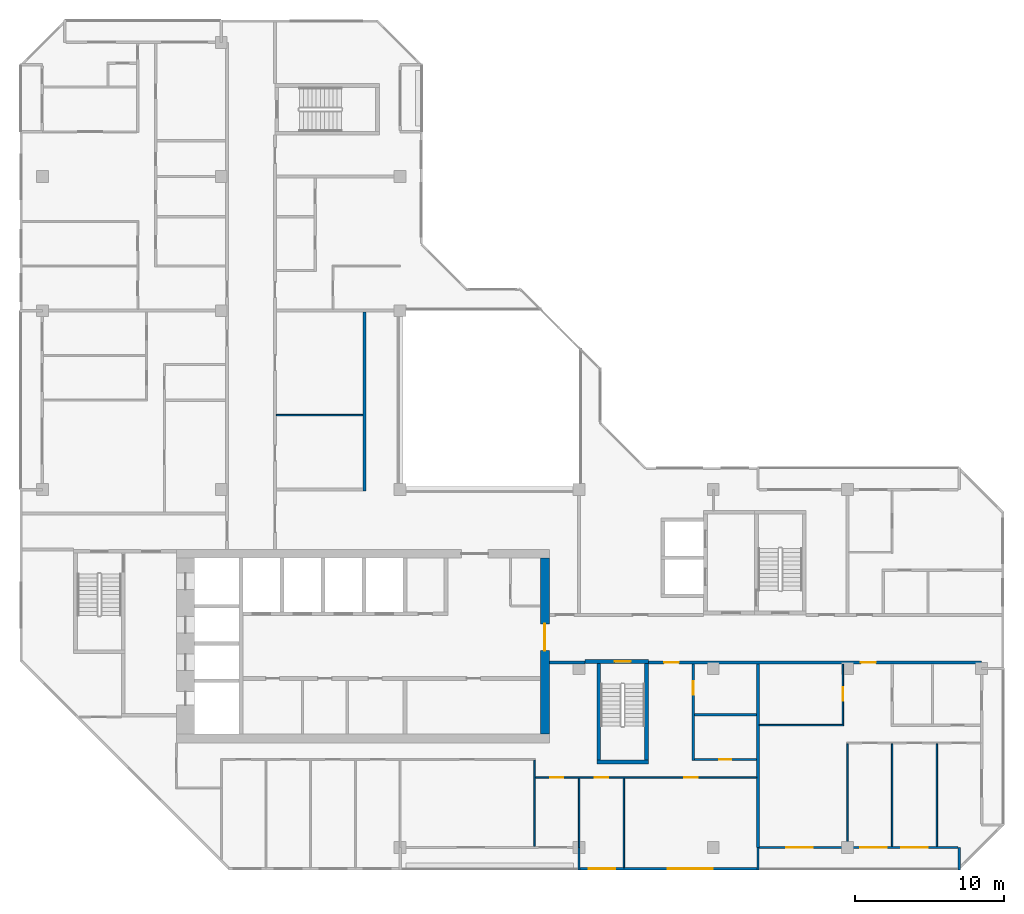
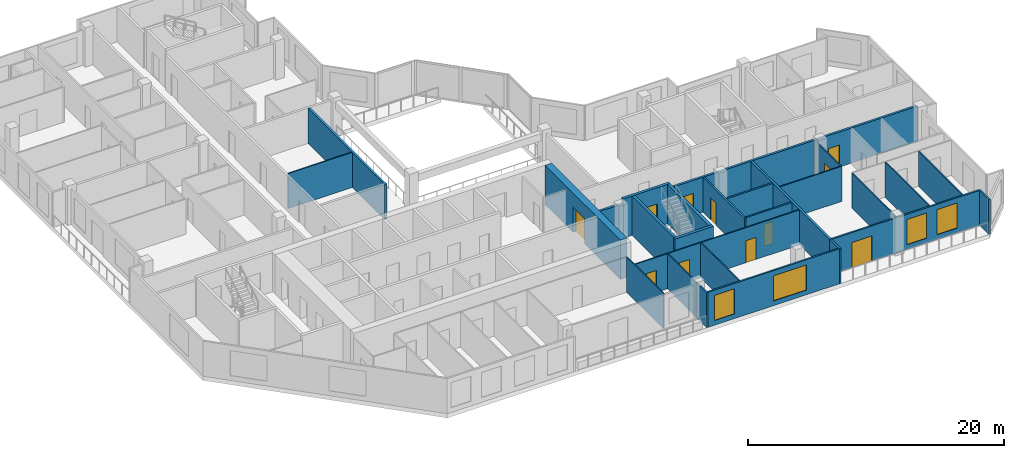
# One storey, part 6 of 13: 27 walls, 11 doors, 4 windows, 15 openings.
"""IFC4 building model written with IfcOpenShell, lengths in metres."""

from ifc_helpers import new_model, si_unit, direction, frame, frame_2d, origin, place, context, subcontext, project, spatial, rectangle, extrude, material, layer, layer_set, type_object, element, fill, save


model = new_model("IFC4")

# Units and contexts
model_context = context("Model", 3, precision=1e-05, world=origin(), true_north=direction((0.0, 1.0)))
body_context = subcontext(model_context, "Body", "Model", "MODEL_VIEW")
ifc_project = project(units=[si_unit("LENGTHUNIT", "METRE"), si_unit("AREAUNIT", "SQUARE_METRE"), si_unit("VOLUMEUNIT", "CUBIC_METRE"), si_unit("PLANEANGLEUNIT", "RADIAN"), si_unit("MASSUNIT", "GRAM", prefix="KILO")], contexts=[model_context])

# Site, building, storey
site_placement = place(None, origin())
site = spatial("IfcSite", under=ifc_project, at=site_placement, CompositionType="ELEMENT")
building_placement = place(site_placement, origin())
building = spatial("IfcBuilding", under=site, at=building_placement, Name="Chenar Terraces", CompositionType="ELEMENT")
storey_placement = place(building_placement, frame((0.0, 0.0, 277.14990234375)))
storey = spatial("IfcBuildingStorey", under=building, at=storey_placement, Name="L64", CompositionType="ELEMENT", Elevation=277.14990234375)

# Wall
ifc_material_1 = material(Name="Concrete C50/60", Category="concrete")
ifc_layer_1 = layer(ifc_material_1, 0.25)
ifc_layer_set_1 = layer_set([ifc_layer_1], Name="Concrete C50/60")
wall_type_1 = type_object("IfcWallType", Name="Core wall 250 Concrete C50/60", PredefinedType="SHEAR", material=ifc_layer_set_1)
wall_1_placement = place(storey_placement, frame((37.199951171875, 5.72509765625, 0.0), z_axis=(0.0, 0.0, 1.0), x_axis=(1.0, 0.0, 0.0)))
element("IfcWall", 1, at=wall_1_placement, inside=storey, type_object=wall_type_1, Name="Core wall ST2_S L64", PredefinedType="SHEAR", context=body_context, shape_type="SweptSolid", body=[
    extrude(rectangle(XDim=3.449951171875, YDim=0.25, at=frame_2d((1.72509765625, 0.0))), origin(), (0.0, 0.0, 1.0), 3.75),
])

# Wall, opening, door
wall_2_placement = place(storey_placement, frame((36.39990234375, 12.47509765625, 0.0), z_axis=(0.0, 0.0, 1.0), x_axis=(1.0, 0.0, 0.0)))
wall_2 = element("IfcWall", 2, at=wall_2_placement, inside=storey, type_object=wall_type_1, Name="Core wall ST2_N L64", PredefinedType="SHEAR", context=body_context, shape_type="SweptSolid", body=[
    extrude(rectangle(XDim=4.25, YDim=0.25, at=frame_2d((2.125, 0.0))), origin(), (0.0, 0.0, 1.0), 3.75),
])
opening_1_placement = place(wall_2_placement, frame((1.97509765625, 0.0, 0.0)))
opening_1 = element("IfcOpeningElement", 3, at=opening_1_placement, cuts=wall_2, Name="Opening DL64-C7", PredefinedType="OPENING", context=body_context, shape_type="SweptSolid", body=[
    extrude(rectangle(XDim=1.10009765625, YDim=2.199951171875, at=frame_2d((0.550048828125, 1.10009765625))), frame((0.0, 0.135009765625, 0.0), z_axis=(0.0, -1.0, 0.0), x_axis=(1.0, 0.0, 0.0)), (0.0, 0.0, 1.0), 0.27001953125),
])
ifc_material_2 = material(Name="Steel-framed fire-resisting door leaf", Category="steel")
door_type_1 = type_object("IfcDoorType", Name="Stair fire door FD60 1100 x 2200", OperationType="SINGLE_SWING_LEFT", PredefinedType="DOOR", material=ifc_material_2)
door_1_placement = place(opening_1_placement, frame((1.10009765625, 0.0, 0.0), z_axis=(0.0, 0.0, 1.0), x_axis=(-1.0, 0.0, 0.0)))
door_1 = element("IfcDoor", 4, at=door_1_placement, inside=storey, type_object=door_type_1, Name="Stair door DL64-C7", OperationType="SINGLE_SWING_LEFT", OverallHeight=2.199951171875, OverallWidth=1.10009765625, PredefinedType="DOOR", context=body_context, shape_type="SweptSolid", body=[
    extrude(rectangle(XDim=1.10009765625, YDim=2.199951171875, at=frame_2d((0.550048828125, 1.10009765625))), frame((0.0, 0.02490234375, 0.0), z_axis=(0.0, -1.0, 0.0), x_axis=(1.0, 0.0, 0.0)), (0.0, 0.0, 1.0), 0.050048828125),
])
fill(opening_1, door_1)

# Walls
for number, where, z_axis, x_axis, name in (
    (5, (37.324951171875, 5.85009765625, 0.0), (0.0, 0.0, 1.0), (0.0, 1.0, 0.0), "Core wall ST2_W L64"),
    (6, (40.52490234375, 5.85009765625, 0.0), (0.0, 0.0, 1.0), (0.0, 1.0, 0.0), "Core wall ST2_E L64"),
):
    element("IfcWall", number, at=place(storey_placement, frame(where, z_axis=z_axis, x_axis=x_axis)), inside=storey, type_object=wall_type_1, Name=name, PredefinedType="SHEAR", context=body_context, shape_type="SweptSolid", body=[
        extrude(rectangle(XDim=6.5, YDim=0.25, at=frame_2d((3.25, 0.0))), origin(), (0.0, 0.0, 1.0), 3.75),
    ])

# Wall, opening, door
ifc_material_3 = material(Name="Concrete C50/60", Category="concrete")
ifc_layer_2 = layer(ifc_material_3, 0.60009765625)
ifc_layer_set_2 = layer_set([ifc_layer_2], Name="Concrete C50/60")
wall_type_2 = type_object("IfcWallType", Name="Core wall 600 Concrete C50/60", PredefinedType="SHEAR", material=ifc_layer_set_2)
wall_3_placement = place(storey_placement, frame((33.699951171875, 7.60009765625, 0.0), z_axis=(0.0, 0.0, 1.0), x_axis=(0.0, 1.0, 0.0)))
wall_3 = element("IfcWall", 7, at=wall_3_placement, inside=storey, type_object=wall_type_2, Name="Core wall E L64", PredefinedType="SHEAR", context=body_context, shape_type="SweptSolid", body=[
    extrude(rectangle(XDim=11.7998046875, YDim=0.60009765625, at=frame_2d((5.89990234375, 0.0))), origin(), (0.0, 0.0, 1.0), 3.75),
])
opening_2_placement = place(wall_3_placement, frame((5.60009765625, 0.0, 0.0)))
opening_2 = element("IfcOpeningElement", 8, at=opening_2_placement, cuts=wall_3, Name="Opening DL64-C1", PredefinedType="OPENING", context=body_context, shape_type="SweptSolid", body=[
    extrude(rectangle(XDim=1.800048828125, YDim=2.39990234375, at=frame_2d((0.89990234375, 1.199951171875))), frame((0.0, 0.31005859375, 0.0), z_axis=(0.0, -1.0, 0.0), x_axis=(1.0, 0.0, 0.0)), (0.0, 0.0, 1.0), 0.6201171875),
])
ifc_material_4 = material(Name="Steel-framed fire-resisting door leaf", Category="steel")
door_type_2 = type_object("IfcDoorType", Name="Core entrance double fire door FD60 1800 x 2400", OperationType="DOUBLE_DOOR_SINGLE_SWING", PredefinedType="DOOR", material=ifc_material_4)
door_2_placement = place(opening_2_placement, origin())
door_2 = element("IfcDoor", 9, at=door_2_placement, inside=storey, type_object=door_type_2, Name="Core door DL64-C1", OperationType="DOUBLE_DOOR_SINGLE_SWING", OverallHeight=2.39990234375, OverallWidth=1.800048828125, PredefinedType="DOOR", context=body_context, shape_type="SweptSolid", body=[
    extrude(rectangle(XDim=1.800048828125, YDim=2.39990234375, at=frame_2d((0.89990234375, 1.199951171875))), frame((0.0, 0.02490234375, 0.0), z_axis=(0.0, -1.0, 0.0), x_axis=(1.0, 0.0, 0.0)), (0.0, 0.0, 1.0), 0.050048828125),
])
fill(opening_2, door_2)

# Walls
ifc_material_5 = material(Name="Gypsum board on steel studs with fire boards", Category="steel")
ifc_layer_3 = layer(ifc_material_5, 0.199951171875)
ifc_layer_set_3 = layer_set([ifc_layer_3], Name="Gypsum board on steel studs with fire boards")
wall_type_3 = type_object("IfcWallType", Name="Corridor wall 200", PredefinedType="PARTITIONING", material=ifc_layer_set_3)
wall_4_placement = place(storey_placement, frame((21.60009765625, 23.89990234375, 0.0), z_axis=(0.0, 0.0, 1.0), x_axis=(0.0, 1.0, 0.0)))
element("IfcWall", 10, at=wall_4_placement, inside=storey, type_object=wall_type_3, Name="Partition L64-043", PredefinedType="PARTITIONING", context=body_context, shape_type="SweptSolid", body=[
    extrude(rectangle(XDim=12.0, YDim=0.199951171875, at=frame_2d((6.0, 0.0))), origin(), (0.0, 0.0, 1.0), 3.35009765625),
])
wall_5_placement = place(storey_placement, frame((34.0, 12.39990234375, 0.0), z_axis=(0.0, 0.0, 1.0), x_axis=(1.0, 0.0, 0.0)))
element("IfcWall", 11, at=wall_5_placement, inside=storey, type_object=wall_type_3, Name="Partition L64-047", PredefinedType="PARTITIONING", context=body_context, shape_type="SweptSolid", body=[
    extrude(rectangle(XDim=2.40087890625, YDim=0.199951171875, at=frame_2d((1.200439453125, 0.0))), origin(), (0.0, 0.0, 1.0), 3.35009765625),
])

# Wall, openings, doors
wall_6_placement = place(storey_placement, frame((40.64990234375, 12.39990234375, 0.0), z_axis=(0.0, 0.0, 1.0), x_axis=(1.0, 0.0, 0.0)))
wall_6 = element("IfcWall", 12, at=wall_6_placement, inside=storey, type_object=wall_type_3, Name="Partition L64-052", PredefinedType="PARTITIONING", context=body_context, shape_type="SweptSolid", body=[
    extrude(rectangle(XDim=22.35009765625, YDim=0.199951171875, at=frame_2d((11.175048828125, 0.0))), origin(), (0.0, 0.0, 1.0), 3.35009765625),
])
opening_3_placement = place(wall_6_placement, frame((14.25, 0.0, 0.0)))
opening_3 = element("IfcOpeningElement", 13, at=opening_3_placement, cuts=wall_6, Name="Opening DL64-13", PredefinedType="OPENING", context=body_context, shape_type="SweptSolid", body=[
    extrude(rectangle(XDim=1.0, YDim=2.10009765625, at=frame_2d((0.5, 1.050048828125))), frame((0.0, 0.10986328125, 0.0), z_axis=(0.0, -1.0, 0.0), x_axis=(1.0, 0.0, 0.0)), (0.0, 0.0, 1.0), 0.219970703125),
])
opening_4_placement = place(wall_6_placement, frame((1.050048828125, 0.0, 0.0)))
opening_4 = element("IfcOpeningElement", 14, at=opening_4_placement, cuts=wall_6, Name="Opening DL64-43", PredefinedType="OPENING", context=body_context, shape_type="SweptSolid", body=[
    extrude(rectangle(XDim=1.0, YDim=2.10009765625, at=frame_2d((0.5, 1.050048828125))), frame((0.0, 0.10986328125, 0.0), z_axis=(0.0, -1.0, 0.0), x_axis=(1.0, 0.0, 0.0)), (0.0, 0.0, 1.0), 0.219970703125),
])
ifc_material_6 = material(Name="Steel-framed fire-resisting door leaf", Category="steel")
door_type_3 = type_object("IfcDoorType", Name="Fire door FD30S 1000 x 2100", OperationType="SINGLE_SWING_LEFT", PredefinedType="DOOR", material=ifc_material_6)
door_3_placement = place(opening_3_placement, frame((1.0, 0.0, 0.0), z_axis=(0.0, 0.0, 1.0), x_axis=(-1.0, 0.0, 0.0)))
door_3 = element("IfcDoor", 15, at=door_3_placement, inside=storey, type_object=door_type_3, Name="Door DL64-13", OperationType="SINGLE_SWING_RIGHT", OverallHeight=2.10009765625, OverallWidth=1.0, PredefinedType="DOOR", context=body_context, shape_type="SweptSolid", body=[
    extrude(rectangle(XDim=1.0, YDim=2.10009765625, at=frame_2d((0.5, 1.050048828125))), frame((0.0, 0.02490234375, 0.0), z_axis=(0.0, -1.0, 0.0), x_axis=(1.0, 0.0, 0.0)), (0.0, 0.0, 1.0), 0.050048828125),
])
fill(opening_3, door_3)
door_4_placement = place(opening_4_placement, origin())
door_4 = element("IfcDoor", 16, at=door_4_placement, inside=storey, type_object=door_type_3, Name="Door DL64-43", OperationType="SINGLE_SWING_LEFT", OverallHeight=2.10009765625, OverallWidth=1.0, PredefinedType="DOOR", context=body_context, shape_type="SweptSolid", body=[
    extrude(rectangle(XDim=1.0, YDim=2.10009765625, at=frame_2d((0.5, 1.050048828125))), frame((0.0, 0.02490234375, 0.0), z_axis=(0.0, -1.0, 0.0), x_axis=(1.0, 0.0, 0.0)), (0.0, 0.0, 1.0), 0.050048828125),
])
fill(opening_4, door_4)

# Wall, openings, windows
ifc_material_7 = material(Name="Aluminium framed glazing", Category="aluminium")
ifc_layer_4 = layer(ifc_material_7, 0.14990234375)
ifc_layer_set_4 = layer_set([ifc_layer_4], Name="Aluminium framed glazing")
wall_type_4 = type_object("IfcWallType", Name="Glazed flush facade wall 150", PredefinedType="SOLIDWALL", material=ifc_layer_set_4)
wall_7_placement = place(storey_placement, frame((36.074951171875, -1.425048828125, 0.0), z_axis=(0.0, 0.0, 1.0), x_axis=(1.0, 0.0, 0.0)))
wall_7 = element("IfcWall", 17, at=wall_7_placement, inside=storey, type_object=wall_type_4, Name="Glazed flush facade wall", PredefinedType="SOLIDWALL", context=body_context, shape_type="SweptSolid", body=[
    extrude(rectangle(XDim=11.85009765625, YDim=0.14990234375, at=frame_2d((5.925048828125, 0.0))), origin(), (0.0, 0.0, 1.0), 3.35009765625),
])
opening_5_placement = place(wall_7_placement, frame((0.5625, 0.0, 0.449951171875)))
opening_5 = element("IfcOpeningElement", 18, at=opening_5_placement, cuts=wall_7, Name="Opening W180x240", PredefinedType="OPENING", context=body_context, shape_type="SweptSolid", body=[
    extrude(rectangle(XDim=1.800048828125, YDim=2.39990234375, at=frame_2d((0.89990234375, 1.199951171875))), frame((0.0, 0.0849609375, 0.0), z_axis=(0.0, -1.0, 0.0), x_axis=(1.0, 0.0, 0.0)), (0.0, 0.0, 1.0), 0.169921875),
])
opening_6_placement = place(wall_7_placement, frame((5.887451171875, 0.0, 0.449951171875)))
opening_6 = element("IfcOpeningElement", 19, at=opening_6_placement, cuts=wall_7, Name="Opening W300x240", PredefinedType="OPENING", context=body_context, shape_type="SweptSolid", body=[
    extrude(rectangle(XDim=3.0, YDim=2.39990234375, at=frame_2d((1.5, 1.199951171875))), frame((0.0, 0.0849609375, 0.0), z_axis=(0.0, -1.0, 0.0), x_axis=(1.0, 0.0, 0.0)), (0.0, 0.0, 1.0), 0.169921875),
])
ifc_material_8 = material(Name="Low emissivity double glazing, aluminium frame", Category="aluminium")
window_type_1 = type_object("IfcWindowType", Name="Fixed light 1800 x 2400", PartitioningType="SINGLE_PANEL", PredefinedType="WINDOW", material=ifc_material_8)
window_1_placement = place(opening_5_placement, origin())
window_1 = element("IfcWindow", 20, at=window_1_placement, inside=storey, type_object=window_type_1, Name="Window", OverallHeight=2.39990234375, OverallWidth=1.800048828125, PartitioningType="SINGLE_PANEL", PredefinedType="WINDOW", context=body_context, shape_type="SweptSolid", body=[
    extrude(rectangle(XDim=1.800048828125, YDim=2.39990234375, at=frame_2d((0.89990234375, 1.199951171875))), frame((0.0, 0.030029296875, 0.0), z_axis=(0.0, -1.0, 0.0), x_axis=(1.0, 0.0, 0.0)), (0.0, 0.0, 1.0), 0.06005859375),
])
fill(opening_5, window_1)
ifc_material_9 = material(Name="Low emissivity double glazing, aluminium frame", Category="aluminium")
window_type_2 = type_object("IfcWindowType", Name="Fixed light 3000 x 2400", PartitioningType="SINGLE_PANEL", PredefinedType="WINDOW", material=ifc_material_9)
window_2_placement = place(opening_6_placement, origin())
window_2 = element("IfcWindow", 21, at=window_2_placement, inside=storey, type_object=window_type_2, Name="Window", OverallHeight=2.39990234375, OverallWidth=3.0, PartitioningType="SINGLE_PANEL", PredefinedType="WINDOW", context=body_context, shape_type="SweptSolid", body=[
    extrude(rectangle(XDim=3.0, YDim=2.39990234375, at=frame_2d((1.5, 1.199951171875))), frame((0.0, 0.030029296875, 0.0), z_axis=(0.0, -1.0, 0.0), x_axis=(1.0, 0.0, 0.0)), (0.0, 0.0, 1.0), 0.06005859375),
])
fill(opening_6, window_2)

# Wall, openings, windows, door
ifc_material_10 = material(Name="Aluminium framed glazing", Category="aluminium")
ifc_layer_5 = layer(ifc_material_10, 0.14990234375)
ifc_layer_set_5 = layer_set([ifc_layer_5], Name="Aluminium framed glazing")
wall_type_5 = type_object("IfcWallType", Name="Glazed loggia back wall 150", PredefinedType="SOLIDWALL", material=ifc_layer_set_5)
wall_8_placement = place(storey_placement, frame((48.074951171875, 0.0, 0.0), z_axis=(0.0, 0.0, 1.0), x_axis=(1.0, 0.0, 0.0)))
wall_8 = element("IfcWall", 22, at=wall_8_placement, inside=storey, type_object=wall_type_5, Name="Glazed loggia back wall", PredefinedType="SOLIDWALL", context=body_context, shape_type="SweptSolid", body=[
    extrude(rectangle(XDim=13.35009765625, YDim=0.14990234375, at=frame_2d((6.675048828125, 0.0))), origin(), (0.0, 0.0, 1.0), 3.35009765625),
])
opening_7_placement = place(wall_8_placement, frame((1.8125, 0.0, 0.0)))
opening_7 = element("IfcOpeningElement", 23, at=opening_7_placement, cuts=wall_8, Name="Opening DL64-G5", PredefinedType="OPENING", context=body_context, shape_type="SweptSolid", body=[
    extrude(rectangle(XDim=1.800048828125, YDim=2.39990234375, at=frame_2d((0.89990234375, 1.199951171875))), frame((0.0, 0.0849609375, 0.0), z_axis=(0.0, -1.0, 0.0), x_axis=(1.0, 0.0, 0.0)), (0.0, 0.0, 1.0), 0.169921875),
])
opening_8_placement = place(wall_8_placement, frame((6.77490234375, 0.0, 0.449951171875)))
opening_8 = element("IfcOpeningElement", 24, at=opening_8_placement, cuts=wall_8, Name="Opening W180x240", PredefinedType="OPENING", context=body_context, shape_type="SweptSolid", body=[
    extrude(rectangle(XDim=1.800048828125, YDim=2.39990234375, at=frame_2d((0.89990234375, 1.199951171875))), frame((0.0, 0.0849609375, 0.0), z_axis=(0.0, -1.0, 0.0), x_axis=(1.0, 0.0, 0.0)), (0.0, 0.0, 1.0), 0.169921875),
])
opening_9_placement = place(wall_8_placement, frame((9.52490234375, 0.0, 0.449951171875)))
opening_9 = element("IfcOpeningElement", 25, at=opening_9_placement, cuts=wall_8, Name="Opening W180x240", PredefinedType="OPENING", context=body_context, shape_type="SweptSolid", body=[
    extrude(rectangle(XDim=1.800048828125, YDim=2.39990234375, at=frame_2d((0.89990234375, 1.199951171875))), frame((0.0, 0.0849609375, 0.0), z_axis=(0.0, -1.0, 0.0), x_axis=(1.0, 0.0, 0.0)), (0.0, 0.0, 1.0), 0.169921875),
])
window_3_placement = place(opening_8_placement, origin())
window_3 = element("IfcWindow", 26, at=window_3_placement, inside=storey, type_object=window_type_1, Name="Window", OverallHeight=2.39990234375, OverallWidth=1.800048828125, PartitioningType="SINGLE_PANEL", PredefinedType="WINDOW", context=body_context, shape_type="SweptSolid", body=[
    extrude(rectangle(XDim=1.800048828125, YDim=2.39990234375, at=frame_2d((0.89990234375, 1.199951171875))), frame((0.0, 0.030029296875, 0.0), z_axis=(0.0, -1.0, 0.0), x_axis=(1.0, 0.0, 0.0)), (0.0, 0.0, 1.0), 0.06005859375),
])
fill(opening_8, window_3)
window_4_placement = place(opening_9_placement, origin())
window_4 = element("IfcWindow", 27, at=window_4_placement, inside=storey, type_object=window_type_1, Name="Window", OverallHeight=2.39990234375, OverallWidth=1.800048828125, PartitioningType="SINGLE_PANEL", PredefinedType="WINDOW", context=body_context, shape_type="SweptSolid", body=[
    extrude(rectangle(XDim=1.800048828125, YDim=2.39990234375, at=frame_2d((0.89990234375, 1.199951171875))), frame((0.0, 0.030029296875, 0.0), z_axis=(0.0, -1.0, 0.0), x_axis=(1.0, 0.0, 0.0)), (0.0, 0.0, 1.0), 0.06005859375),
])
fill(opening_9, window_4)
ifc_material_11 = material(Name="Low emissivity double glazing, aluminium frame", Category="aluminium")
door_type_4 = type_object("IfcDoorType", Name="Loggia glazed double door 1800 x 2400", OperationType="DOUBLE_DOOR_SINGLE_SWING", PredefinedType="DOOR", material=ifc_material_11)
door_5_placement = place(opening_7_placement, frame((1.800048828125, 0.0, 0.0), z_axis=(0.0, 0.0, 1.0), x_axis=(-1.0, 0.0, 0.0)))
door_5 = element("IfcDoor", 28, at=door_5_placement, inside=storey, type_object=door_type_4, Name="Loggia glazed door", OperationType="DOUBLE_DOOR_SINGLE_SWING", OverallHeight=2.39990234375, OverallWidth=1.800048828125, PredefinedType="DOOR", context=body_context, shape_type="SweptSolid", body=[
    extrude(rectangle(XDim=1.800048828125, YDim=2.39990234375, at=frame_2d((0.89990234375, 1.199951171875))), frame((0.0, 0.02490234375, 0.0), z_axis=(0.0, -1.0, 0.0), x_axis=(1.0, 0.0, 0.0)), (0.0, 0.0, 1.0), 0.050048828125),
])
fill(opening_7, door_5)

# Walls
ifc_material_12 = material(Name="Gypsum board on steel studs", Category="steel")
ifc_layer_6 = layer(ifc_material_12, 0.10009765625)
ifc_layer_set_6 = layer_set([ifc_layer_6], Name="Gypsum board on steel studs")
wall_type_6 = type_object("IfcWallType", Name="Gypsum partition 100", PredefinedType="PARTITIONING", material=ifc_layer_set_6)
wall_9_placement = place(storey_placement, frame((15.699951171875, 29.0, 0.0), z_axis=(0.0, 0.0, 1.0), x_axis=(1.0, 0.0, 0.0)))
element("IfcWall", 29, at=wall_9_placement, inside=storey, type_object=wall_type_6, Name="Partition L64-033", PredefinedType="PARTITIONING", context=body_context, shape_type="SweptSolid", body=[
    extrude(rectangle(XDim=5.800048828125, YDim=0.10009765625, at=frame_2d((2.89990234375, 0.0))), origin(), (0.0, 0.0, 1.0), 3.35009765625),
])
wall_10_placement = place(storey_placement, frame((33.0, 0.073974609375, 0.0), z_axis=(0.0, 0.0, 1.0), x_axis=(0.0, 1.0, 0.0)))
element("IfcWall", 30, at=wall_10_placement, inside=storey, type_object=wall_type_6, Name="Partition L64-045", PredefinedType="PARTITIONING", context=body_context, shape_type="SweptSolid", body=[
    extrude(rectangle(XDim=5.776123046875, YDim=0.10009765625, at=frame_2d((2.88818359375, 0.0))), origin(), (0.0, 0.0, 1.0), 3.35009765625),
])

# Wall, openings, doors
wall_11_placement = place(storey_placement, frame((33.050048828125, 4.699951171875, 0.0), z_axis=(0.0, 0.0, 1.0), x_axis=(1.0, 0.0, 0.0)))
wall_11 = element("IfcWall", 31, at=wall_11_placement, inside=storey, type_object=wall_type_6, Name="Partition L64-046", PredefinedType="PARTITIONING", context=body_context, shape_type="SweptSolid", body=[
    extrude(rectangle(XDim=14.849853515625, YDim=0.10009765625, at=frame_2d((7.4248046875, 0.0))), origin(), (0.0, 0.0, 1.0), 3.35009765625),
])
opening_10_placement = place(wall_11_placement, frame((1.0, 0.0, 0.0)))
opening_10 = element("IfcOpeningElement", 32, at=opening_10_placement, cuts=wall_11, Name="Opening DL64-39", PredefinedType="OPENING", context=body_context, shape_type="SweptSolid", body=[
    extrude(rectangle(XDim=0.89990234375, YDim=2.10009765625, at=frame_2d((0.449951171875, 1.050048828125))), frame((0.0, 0.06005859375, 0.0), z_axis=(0.0, -1.0, 0.0), x_axis=(1.0, 0.0, 0.0)), (0.0, 0.0, 1.0), 0.1201171875),
])
opening_11_placement = place(wall_11_placement, frame((4.0, 0.0, 0.0)))
opening_11 = element("IfcOpeningElement", 33, at=opening_11_placement, cuts=wall_11, Name="Opening DL64-40", PredefinedType="OPENING", context=body_context, shape_type="SweptSolid", body=[
    extrude(rectangle(XDim=0.89990234375, YDim=2.10009765625, at=frame_2d((0.449951171875, 1.050048828125))), frame((0.0, 0.06005859375, 0.0), z_axis=(0.0, -1.0, 0.0), x_axis=(1.0, 0.0, 0.0)), (0.0, 0.0, 1.0), 0.1201171875),
])
opening_12_placement = place(wall_11_placement, frame((10.0, 0.0, 0.0)))
opening_12 = element("IfcOpeningElement", 34, at=opening_12_placement, cuts=wall_11, Name="Opening DL64-46", PredefinedType="OPENING", context=body_context, shape_type="SweptSolid", body=[
    extrude(rectangle(XDim=0.89990234375, YDim=2.10009765625, at=frame_2d((0.449951171875, 1.050048828125))), frame((0.0, 0.06005859375, 0.0), z_axis=(0.0, -1.0, 0.0), x_axis=(1.0, 0.0, 0.0)), (0.0, 0.0, 1.0), 0.1201171875),
])
ifc_material_13 = material(Name="Veneered timber door leaf", Category="wood")
door_type_5 = type_object("IfcDoorType", Name="Door 900 x 2100", OperationType="SINGLE_SWING_LEFT", PredefinedType="DOOR", material=ifc_material_13)
door_6_placement = place(opening_10_placement, frame((0.89990234375, 0.0, 0.0), z_axis=(0.0, 0.0, 1.0), x_axis=(-1.0, 0.0, 0.0)))
door_6 = element("IfcDoor", 35, at=door_6_placement, inside=storey, type_object=door_type_5, Name="Door DL64-39", OperationType="SINGLE_SWING_LEFT", OverallHeight=2.10009765625, OverallWidth=0.89990234375, PredefinedType="DOOR", context=body_context, shape_type="SweptSolid", body=[
    extrude(rectangle(XDim=0.89990234375, YDim=2.10009765625, at=frame_2d((0.449951171875, 1.050048828125))), frame((0.0, 0.02490234375, 0.0), z_axis=(0.0, -1.0, 0.0), x_axis=(1.0, 0.0, 0.0)), (0.0, 0.0, 1.0), 0.050048828125),
])
fill(opening_10, door_6)
door_7_placement = place(opening_11_placement, frame((0.89990234375, 0.0, 0.0), z_axis=(0.0, 0.0, 1.0), x_axis=(-1.0, 0.0, 0.0)))
door_7 = element("IfcDoor", 36, at=door_7_placement, inside=storey, type_object=door_type_5, Name="Door DL64-40", OperationType="SINGLE_SWING_LEFT", OverallHeight=2.10009765625, OverallWidth=0.89990234375, PredefinedType="DOOR", context=body_context, shape_type="SweptSolid", body=[
    extrude(rectangle(XDim=0.89990234375, YDim=2.10009765625, at=frame_2d((0.449951171875, 1.050048828125))), frame((0.0, 0.02490234375, 0.0), z_axis=(0.0, -1.0, 0.0), x_axis=(1.0, 0.0, 0.0)), (0.0, 0.0, 1.0), 0.050048828125),
])
fill(opening_11, door_7)
door_8_placement = place(opening_12_placement, frame((0.89990234375, 0.0, 0.0), z_axis=(0.0, 0.0, 1.0), x_axis=(-1.0, 0.0, 0.0)))
door_8 = element("IfcDoor", 37, at=door_8_placement, inside=storey, type_object=door_type_5, Name="Door DL64-46", OperationType="SINGLE_SWING_LEFT", OverallHeight=2.10009765625, OverallWidth=0.89990234375, PredefinedType="DOOR", context=body_context, shape_type="SweptSolid", body=[
    extrude(rectangle(XDim=0.89990234375, YDim=2.10009765625, at=frame_2d((0.449951171875, 1.050048828125))), frame((0.0, 0.02490234375, 0.0), z_axis=(0.0, -1.0, 0.0), x_axis=(1.0, 0.0, 0.0)), (0.0, 0.0, 1.0), 0.050048828125),
])
fill(opening_12, door_8)

# Walls
wall_12_placement = place(storey_placement, frame((36.0, 0.0, 0.0), z_axis=(0.0, 0.0, 1.0), x_axis=(0.0, 1.0, 0.0)))
element("IfcWall", 38, at=wall_12_placement, inside=storey, type_object=wall_type_6, Name="Partition L64-049", PredefinedType="PARTITIONING", context=body_context, shape_type="SweptSolid", body=[
    extrude(rectangle(XDim=4.64990234375, YDim=0.10009765625, at=frame_2d((2.324951171875, 0.0))), origin(), (0.0, 0.0, 1.0), 3.35009765625),
])
wall_13_placement = place(storey_placement, frame((39.0, -1.35009765625, 0.0), z_axis=(0.0, 0.0, 1.0), x_axis=(0.0, 1.0, 0.0)))
element("IfcWall", 39, at=wall_13_placement, inside=storey, type_object=wall_type_6, Name="Partition L64-051", PredefinedType="PARTITIONING", context=body_context, shape_type="SweptSolid", body=[
    extrude(rectangle(XDim=6.0, YDim=0.10009765625, at=frame_2d((3.0, 0.0))), origin(), (0.0, 0.0, 1.0), 3.35009765625),
])
wall_14_placement = place(storey_placement, frame((48.10009765625, 8.199951171875, 0.0), z_axis=(0.0, 0.0, 1.0), x_axis=(1.0, 0.0, 0.0)))
element("IfcWall", 40, at=wall_14_placement, inside=storey, type_object=wall_type_6, Name="Partition L64-058", PredefinedType="PARTITIONING", context=body_context, shape_type="SweptSolid", body=[
    extrude(rectangle(XDim=5.64990234375, YDim=0.10009765625, at=frame_2d((2.824951171875, 0.0))), origin(), (0.0, 0.0, 1.0), 3.35009765625),
])

# Wall, opening, door
wall_15_placement = place(storey_placement, frame((53.699951171875, 8.25, 0.0), z_axis=(0.0, 0.0, 1.0), x_axis=(0.0, 1.0, 0.0)))
wall_15 = element("IfcWall", 41, at=wall_15_placement, inside=storey, type_object=wall_type_6, Name="Partition L64-060", PredefinedType="PARTITIONING", context=body_context, shape_type="SweptSolid", body=[
    extrude(rectangle(XDim=4.050048828125, YDim=0.10009765625, at=frame_2d((2.02490234375, 0.0))), origin(), (0.0, 0.0, 1.0), 3.35009765625),
])
opening_13_placement = place(wall_15_placement, frame((1.60009765625, 0.0, 0.0)))
opening_13 = element("IfcOpeningElement", 42, at=opening_13_placement, cuts=wall_15, Name="Opening DL64-11", PredefinedType="OPENING", context=body_context, shape_type="SweptSolid", body=[
    extrude(rectangle(XDim=0.89990234375, YDim=2.10009765625, at=frame_2d((0.449951171875, 1.050048828125))), frame((0.0, 0.06005859375, 0.0), z_axis=(0.0, -1.0, 0.0), x_axis=(1.0, 0.0, 0.0)), (0.0, 0.0, 1.0), 0.1201171875),
])
door_9_placement = place(opening_13_placement, origin())
door_9 = element("IfcDoor", 43, at=door_9_placement, inside=storey, type_object=door_type_5, Name="Door DL64-11", OperationType="SINGLE_SWING_RIGHT", OverallHeight=2.10009765625, OverallWidth=0.89990234375, PredefinedType="DOOR", context=body_context, shape_type="SweptSolid", body=[
    extrude(rectangle(XDim=0.89990234375, YDim=2.10009765625, at=frame_2d((0.449951171875, 1.050048828125))), frame((0.0, 0.02490234375, 0.0), z_axis=(0.0, -1.0, 0.0), x_axis=(1.0, 0.0, 0.0)), (0.0, 0.0, 1.0), 0.050048828125),
])
fill(opening_13, door_9)

# Walls
for number, where, z_axis, x_axis, name in (
    (44, (54.0, 0.073974609375, 0.0), (0.0, 0.0, 1.0), (0.0, 1.0, 0.0), "Partition L64-062"),
    (45, (57.0, 0.073974609375, 0.0), (0.0, 0.0, 1.0), (0.0, 1.0, 0.0), "Partition L64-068"),
    (46, (60.0, 0.073974609375, 0.0), (0.0, 0.0, 1.0), (0.0, 1.0, 0.0), "Partition L64-073"),
):
    element("IfcWall", number, at=place(storey_placement, frame(where, z_axis=z_axis, x_axis=x_axis)), inside=storey, type_object=wall_type_6, Name=name, PredefinedType="PARTITIONING", context=body_context, shape_type="SweptSolid", body=[
        extrude(rectangle(XDim=6.8759765625, YDim=0.10009765625, at=frame_2d((3.43798828125, 0.0))), origin(), (0.0, 0.0, 1.0), 3.35009765625),
    ])
ifc_material_14 = material(Name="Terracotta cladding on insulated backing", Category="masonry")
ifc_layer_7 = layer(ifc_material_14, 0.14990234375)
ifc_layer_set_7 = layer_set([ifc_layer_7], Name="Terracotta cladding on insulated backing")
wall_type_7 = type_object("IfcWallType", Name="Loggia return wall 150", PredefinedType="SOLIDWALL", material=ifc_layer_set_7)
for number, where, z_axis, x_axis, name in (
    (47, (36.0, -1.5, 0.0), (0.0, 0.0, 1.0), (0.0, 1.0, 0.0), "Loggia return wall"),
    (48, (48.0, -1.5, 0.0), (0.0, 0.0, 1.0), (0.0, 1.0, 0.0), "Loggia return wall"),
    (49, (61.5, -1.5, 0.0), (0.0, 0.0, 1.0), (0.0, 1.0, 0.0), "Loggia return wall"),
):
    element("IfcWall", number, at=place(storey_placement, frame(where, z_axis=z_axis, x_axis=x_axis)), inside=storey, type_object=wall_type_7, Name=name, PredefinedType="SOLIDWALL", context=body_context, shape_type="SweptSolid", body=[
        extrude(rectangle(XDim=1.5, YDim=0.14990234375, at=frame_2d((0.75, 0.0))), origin(), (0.0, 0.0, 1.0), 3.35009765625),
    ])
ifc_material_15 = material(Name="Twin gypsum board on steel studs with mineral wool", Category="steel")
ifc_layer_8 = layer(ifc_material_15, 0.199951171875)
ifc_layer_set_8 = layer_set([ifc_layer_8], Name="Twin gypsum board on steel studs with mineral wool")
wall_type_8 = type_object("IfcWallType", Name="Unit demising wall 200", PredefinedType="PARTITIONING", material=ifc_layer_set_8)
wall_16_placement = place(storey_placement, frame((48.0, 0.0, 0.0), z_axis=(0.0, 0.0, 1.0), x_axis=(0.0, 1.0, 0.0)))
element("IfcWall", 50, at=wall_16_placement, inside=storey, type_object=wall_type_8, Name="Partition L64-057", PredefinedType="PARTITIONING", context=body_context, shape_type="SweptSolid", body=[
    extrude(rectangle(XDim=12.300048828125, YDim=0.199951171875, at=frame_2d((6.14990234375, 0.0))), origin(), (0.0, 0.0, 1.0), 3.35009765625),
])

# Wall, opening, door
ifc_material_16 = material(Name="Moisture-resistant gypsum board on steel studs", Category="steel")
ifc_layer_9 = layer(ifc_material_16, 0.14990234375)
ifc_layer_set_9 = layer_set([ifc_layer_9], Name="Moisture-resistant gypsum board on steel studs")
wall_type_9 = type_object("IfcWallType", Name="Wet-room partition 150", PredefinedType="PARTITIONING", material=ifc_layer_set_9)
wall_17_placement = place(storey_placement, frame((43.64990234375, 5.824951171875, 0.0), z_axis=(0.0, 0.0, 1.0), x_axis=(0.0, 1.0, 0.0)))
wall_17 = element("IfcWall", 51, at=wall_17_placement, inside=storey, type_object=wall_type_9, Name="Partition L64-053", PredefinedType="PARTITIONING", context=body_context, shape_type="SweptSolid", body=[
    extrude(rectangle(XDim=6.47509765625, YDim=0.14990234375, at=frame_2d((3.237548828125, 0.0))), origin(), (0.0, 0.0, 1.0), 3.35009765625),
])
opening_14_placement = place(wall_17_placement, frame((4.425048828125, 0.0, 0.0)))
opening_14 = element("IfcOpeningElement", 52, at=opening_14_placement, cuts=wall_17, Name="Opening DL64-44", PredefinedType="OPENING", context=body_context, shape_type="SweptSolid", body=[
    extrude(rectangle(XDim=0.89990234375, YDim=2.10009765625, at=frame_2d((0.449951171875, 1.050048828125))), frame((0.0, 0.0849609375, 0.0), z_axis=(0.0, -1.0, 0.0), x_axis=(1.0, 0.0, 0.0)), (0.0, 0.0, 1.0), 0.169921875),
])
door_10_placement = place(opening_14_placement, frame((0.89990234375, 0.0, 0.0), z_axis=(0.0, 0.0, 1.0), x_axis=(-1.0, 0.0, 0.0)))
door_10 = element("IfcDoor", 53, at=door_10_placement, inside=storey, type_object=door_type_5, Name="Door DL64-44", OperationType="SINGLE_SWING_LEFT", OverallHeight=2.10009765625, OverallWidth=0.89990234375, PredefinedType="DOOR", context=body_context, shape_type="SweptSolid", body=[
    extrude(rectangle(XDim=0.89990234375, YDim=2.10009765625, at=frame_2d((0.449951171875, 1.050048828125))), frame((0.0, 0.02490234375, 0.0), z_axis=(0.0, -1.0, 0.0), x_axis=(1.0, 0.0, 0.0)), (0.0, 0.0, 1.0), 0.050048828125),
])
fill(opening_14, door_10)

wall_18_placement = place(storey_placement, frame((43.72509765625, 5.89990234375, 0.0), z_axis=(0.0, 0.0, 1.0), x_axis=(1.0, 0.0, 0.0)))
wall_18 = element("IfcWall", 54, at=wall_18_placement, inside=storey, type_object=wall_type_9, Name="Partition L64-054", PredefinedType="PARTITIONING", context=body_context, shape_type="SweptSolid", body=[
    extrude(rectangle(XDim=4.1748046875, YDim=0.14990234375, at=frame_2d((2.08740234375, 0.0))), origin(), (0.0, 0.0, 1.0), 3.35009765625),
])
opening_15_placement = place(wall_18_placement, frame((1.675048828125, 0.0, 0.0)))
opening_15 = element("IfcOpeningElement", 55, at=opening_15_placement, cuts=wall_18, Name="Opening DL64-34", PredefinedType="OPENING", context=body_context, shape_type="SweptSolid", body=[
    extrude(rectangle(XDim=0.800048828125, YDim=2.10009765625, at=frame_2d((0.39990234375, 1.050048828125))), frame((0.0, 0.0849609375, 0.0), z_axis=(0.0, -1.0, 0.0), x_axis=(1.0, 0.0, 0.0)), (0.0, 0.0, 1.0), 0.169921875),
])
ifc_material_17 = material(Name="Veneered timber door leaf", Category="wood")
door_type_6 = type_object("IfcDoorType", Name="Door 800 x 2100", OperationType="SINGLE_SWING_LEFT", PredefinedType="DOOR", material=ifc_material_17)
door_11_placement = place(opening_15_placement, origin())
door_11 = element("IfcDoor", 56, at=door_11_placement, inside=storey, type_object=door_type_6, Name="Door DL64-34", OperationType="SINGLE_SWING_LEFT", OverallHeight=2.10009765625, OverallWidth=0.800048828125, PredefinedType="DOOR", context=body_context, shape_type="SweptSolid", body=[
    extrude(rectangle(XDim=0.800048828125, YDim=2.10009765625, at=frame_2d((0.39990234375, 1.050048828125))), frame((0.0, 0.02490234375, 0.0), z_axis=(0.0, -1.0, 0.0), x_axis=(1.0, 0.0, 0.0)), (0.0, 0.0, 1.0), 0.050048828125),
])
fill(opening_15, door_11)

# Wall
wall_19_placement = place(storey_placement, frame((43.72509765625, 8.89990234375, 0.0), z_axis=(0.0, 0.0, 1.0), x_axis=(1.0, 0.0, 0.0)))
element("IfcWall", 57, at=wall_19_placement, inside=storey, type_object=wall_type_9, Name="Partition L64-055", PredefinedType="PARTITIONING", context=body_context, shape_type="SweptSolid", body=[
    extrude(rectangle(XDim=4.1748046875, YDim=0.14990234375, at=frame_2d((2.08740234375, 0.0))), origin(), (0.0, 0.0, 1.0), 3.35009765625),
])

save(model, "model.ifc")
